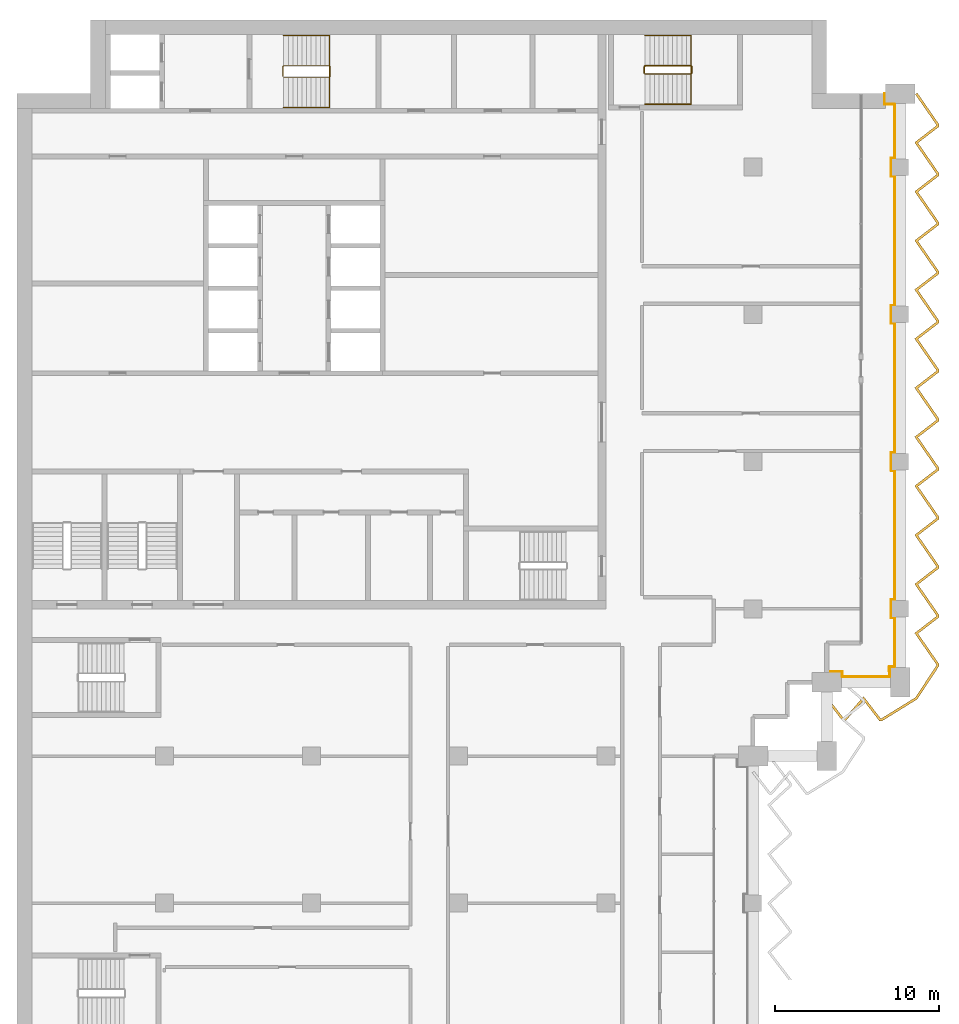
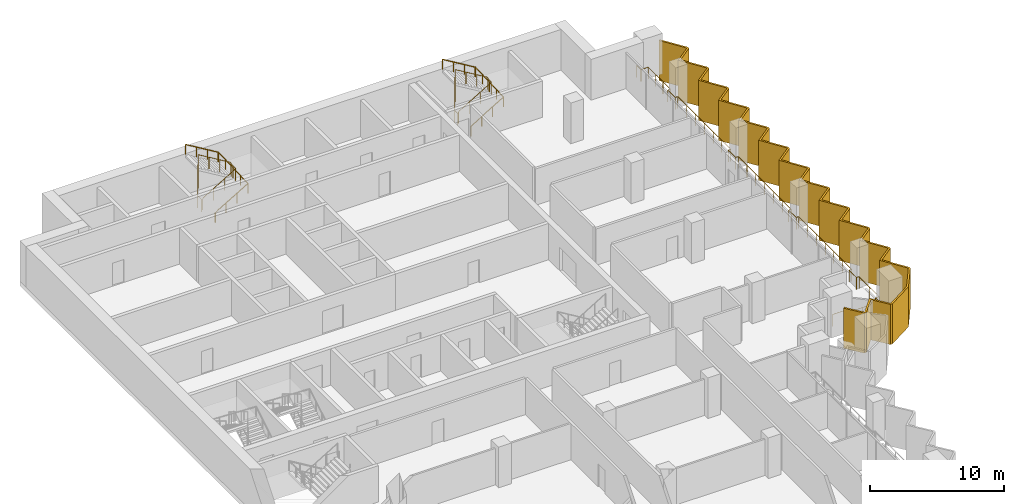
# One storey, part 17 of 17: 5 railings, 1 shading device.
"""IFC4 building model written with IfcOpenShell, lengths in metres."""

from ifc_helpers import new_model, si_unit, direction, frame, origin, origin_2d, place, context, subcontext, project, spatial, polyline, circle, outline, extrude, material, layer, layer_set, type_object, element, save


model = new_model("IFC4")

# Units and contexts
model_context = context("Model", 3, precision=1e-05, world=origin(), true_north=direction((0.0, 1.0)))
body_context = subcontext(model_context, "Body", "Model", "MODEL_VIEW")
ifc_project = project(units=[si_unit("LENGTHUNIT", "METRE"), si_unit("AREAUNIT", "SQUARE_METRE"), si_unit("VOLUMEUNIT", "CUBIC_METRE"), si_unit("PLANEANGLEUNIT", "RADIAN"), si_unit("MASSUNIT", "GRAM", prefix="KILO")], contexts=[model_context])

# Site, building, storey
site_placement = place(None, origin())
site = spatial("IfcSite", under=ifc_project, at=site_placement, CompositionType="ELEMENT")
building_placement = place(site_placement, origin())
building = spatial("IfcBuilding", under=site, at=building_placement, Name="Hunhe Ridgeline Campus", CompositionType="ELEMENT")
storey_placement = place(building_placement, frame((0.0, 0.0, 193.89990234375)))
storey = spatial("IfcBuildingStorey", under=building, at=storey_placement, Name="L49", CompositionType="ELEMENT", Elevation=193.89990234375)

# Railing
ifc_material_1 = material(Name="Steel Q355", Category="steel")
railing_type_1 = type_object("IfcRailingType", Name="Loggia guard 1100 Steel Q355", PredefinedType="GUARDRAIL", material=ifc_material_1)
railing_1_placement = place(storey_placement, frame((49.5, 59.169921875, 0.0)))
element("IfcRailing", 1, at=railing_1_placement, inside=storey, type_object=railing_type_1, Name="Loggia guard 2", PredefinedType="GUARDRAIL", context=body_context, shape_type="SweptSolid", body=[
    extrude(circle(Radius=0.02392578125, at=origin_2d()), frame((0.0, 0.0, 1.076171875), z_axis=(1.0, 0.0, 0.0), x_axis=(0.0, 1.0, 0.0)), (0.0, 0.0, 1.0), 0.949951171875),
    extrude(circle(Radius=0.02392578125, at=origin_2d()), frame((0.949951171875, 0.0, 1.076171875), z_axis=(0.0, -1.0, 0.0), x_axis=(1.0, 0.0, 0.0)), (0.0, 0.0, 1.0), 0.31982421875),
    extrude(circle(Radius=0.02392578125, at=origin_2d()), frame((0.949951171875, -0.31982421875, 1.076171875), z_axis=(1.0, 0.0, 0.0), x_axis=(0.0, 1.0, 0.0)), (0.0, 0.0, 1.0), 2.900146484375),
    extrude(circle(Radius=0.02392578125, at=origin_2d()), frame((3.85009765625, -0.31982421875, 1.076171875), z_axis=(0.0, 1.0, 0.0), x_axis=(-1.0, 0.0, 0.0)), (0.0, 0.0, 1.0), 0.619873046875),
    extrude(circle(Radius=0.02392578125, at=origin_2d()), frame((3.85009765625, 0.300048828125, 1.076171875), z_axis=(-0.066572895244, -0.99778156408, 0.0), x_axis=(0.99778156408, -0.066572895244, 0.0)), (0.0, 0.0, 1.0), 0.30078125),
    extrude(circle(Radius=0.02392578125, at=origin_2d()), frame((3.830078125, 0.0, 1.076171875), z_axis=(0.0, 1.0, 0.0), x_axis=(-1.0, 0.0, 0.0)), (0.0, 0.0, 1.0), 0.280029296875),
    extrude(circle(Radius=0.02392578125, at=origin_2d()), frame((3.830078125, 0.280029296875, 1.076171875), z_axis=(1.0, 0.0, 0.0), x_axis=(0.0, 1.0, 0.0)), (0.0, 0.0, 1.0), 0.31982421875),
    extrude(circle(Radius=0.02392578125, at=origin_2d()), frame((4.14990234375, 0.280029296875, 1.076171875), z_axis=(0.0, 1.0, 0.0), x_axis=(-1.0, 0.0, 0.0)), (0.0, 0.0, 1.0), 3.0),
    extrude(circle(Radius=0.02392578125, at=origin_2d()), frame((4.14990234375, 3.280029296875, 1.076171875), z_axis=(-1.0, 0.0, 0.0), x_axis=(0.0, -1.0, 0.0)), (0.0, 0.0, 1.0), 0.219970703125),
    extrude(circle(Radius=0.02392578125, at=origin_2d()), frame((3.929931640625, 3.280029296875, 1.076171875), z_axis=(0.0, 1.0, 0.0), x_axis=(-1.0, 0.0, 0.0)), (0.0, 0.0, 1.0), 1.10009765625),
    extrude(circle(Radius=0.02392578125, at=origin_2d()), frame((3.929931640625, 4.380126953125, 1.076171875), z_axis=(1.0, 0.0, 0.0), x_axis=(0.0, 1.0, 0.0)), (0.0, 0.0, 1.0), 0.219970703125),
    extrude(circle(Radius=0.02392578125, at=origin_2d()), frame((4.14990234375, 4.380126953125, 1.076171875), z_axis=(0.0, 1.0, 0.0), x_axis=(-1.0, 0.0, 0.0)), (0.0, 0.0, 1.0), 7.89990234375),
    extrude(circle(Radius=0.02392578125, at=origin_2d()), frame((4.14990234375, 12.280029296875, 1.076171875), z_axis=(-1.0, 0.0, 0.0), x_axis=(0.0, -1.0, 0.0)), (0.0, 0.0, 1.0), 0.219970703125),
    extrude(circle(Radius=0.02392578125, at=origin_2d()), frame((3.929931640625, 12.280029296875, 1.076171875), z_axis=(0.0, 1.0, 0.0), x_axis=(-1.0, 0.0, 0.0)), (0.0, 0.0, 1.0), 1.10009765625),
    extrude(circle(Radius=0.02392578125, at=origin_2d()), frame((3.929931640625, 13.380126953125, 1.076171875), z_axis=(1.0, 0.0, 0.0), x_axis=(0.0, 1.0, 0.0)), (0.0, 0.0, 1.0), 0.219970703125),
    extrude(circle(Radius=0.02392578125, at=origin_2d()), frame((4.14990234375, 13.380126953125, 1.076171875), z_axis=(0.0, 1.0, 0.0), x_axis=(-1.0, 0.0, 0.0)), (0.0, 0.0, 1.0), 7.89990234375),
    extrude(circle(Radius=0.02392578125, at=origin_2d()), frame((4.14990234375, 21.280029296875, 1.076171875), z_axis=(-1.0, 0.0, 0.0), x_axis=(0.0, -1.0, 0.0)), (0.0, 0.0, 1.0), 0.219970703125),
    extrude(circle(Radius=0.02392578125, at=origin_2d()), frame((3.929931640625, 21.280029296875, 1.076171875), z_axis=(0.0, 1.0, 0.0), x_axis=(-1.0, 0.0, 0.0)), (0.0, 0.0, 1.0), 1.10009765625),
    extrude(circle(Radius=0.02392578125, at=origin_2d()), frame((3.929931640625, 22.380126953125, 1.076171875), z_axis=(1.0, 0.0, 0.0), x_axis=(0.0, 1.0, 0.0)), (0.0, 0.0, 1.0), 0.219970703125),
    extrude(circle(Radius=0.02392578125, at=origin_2d()), frame((4.14990234375, 22.380126953125, 1.076171875), z_axis=(0.0, 1.0, 0.0), x_axis=(-1.0, 0.0, 0.0)), (0.0, 0.0, 1.0), 7.89990234375),
    extrude(circle(Radius=0.02392578125, at=origin_2d()), frame((4.14990234375, 30.280029296875, 1.076171875), z_axis=(-1.0, 0.0, 0.0), x_axis=(0.0, -1.0, 0.0)), (0.0, 0.0, 1.0), 0.219970703125),
    extrude(circle(Radius=0.02392578125, at=origin_2d()), frame((3.929931640625, 30.280029296875, 1.076171875), z_axis=(0.0, 1.0, 0.0), x_axis=(-1.0, 0.0, 0.0)), (0.0, 0.0, 1.0), 1.10009765625),
    extrude(circle(Radius=0.02392578125, at=origin_2d()), frame((3.929931640625, 31.380126953125, 1.076171875), z_axis=(1.0, 0.0, 0.0), x_axis=(0.0, 1.0, 0.0)), (0.0, 0.0, 1.0), 0.219970703125),
    extrude(circle(Radius=0.02392578125, at=origin_2d()), frame((4.14990234375, 31.380126953125, 1.076171875), z_axis=(0.0, 1.0, 0.0), x_axis=(-1.0, 0.0, 0.0)), (0.0, 0.0, 1.0), 3.300048828125),
    extrude(circle(Radius=0.02392578125, at=origin_2d()), frame((4.14990234375, 34.68017578125, 1.076171875), z_axis=(-1.0, 0.0, 0.0), x_axis=(0.0, -1.0, 0.0)), (0.0, 0.0, 1.0), 0.619873046875),
    extrude(circle(Radius=0.02392578125, at=origin_2d()), frame((3.530029296875, 34.68017578125, 1.076171875), z_axis=(0.0, 1.0, 0.0), x_axis=(-1.0, 0.0, 0.0)), (0.0, 0.0, 1.0), 0.64990234375),
    extrude(circle(Radius=0.02099609375, at=origin_2d()), origin(), (0.0, 0.0, 1.0), 1.052001953125),
    extrude(circle(Radius=0.02099609375, at=origin_2d()), frame((0.949951171875, 0.0, 0.0)), (0.0, 0.0, 1.0), 1.052001953125),
    extrude(circle(Radius=0.02099609375, at=origin_2d()), frame((0.949951171875, -0.31982421875, 0.0)), (0.0, 0.0, 1.0), 1.052001953125),
    extrude(circle(Radius=0.02099609375, at=origin_2d()), frame((2.39990234375, -0.31982421875, 0.0)), (0.0, 0.0, 1.0), 1.052001953125),
    extrude(circle(Radius=0.02099609375, at=origin_2d()), frame((3.85009765625, -0.31982421875, 0.0)), (0.0, 0.0, 1.0), 1.052001953125),
    extrude(circle(Radius=0.02099609375, at=origin_2d()), frame((3.85009765625, 0.300048828125, 0.0)), (0.0, 0.0, 1.0), 1.052001953125),
    extrude(circle(Radius=0.02099609375, at=origin_2d()), frame((3.830078125, 0.0, 0.0)), (0.0, 0.0, 1.0), 1.052001953125),
    extrude(circle(Radius=0.02099609375, at=origin_2d()), frame((3.830078125, 0.280029296875, 0.0)), (0.0, 0.0, 1.0), 1.052001953125),
    extrude(circle(Radius=0.02099609375, at=origin_2d()), frame((4.14990234375, 0.280029296875, 0.0)), (0.0, 0.0, 1.0), 1.052001953125),
    extrude(circle(Radius=0.02099609375, at=origin_2d()), frame((4.14990234375, 1.780029296875, 0.0)), (0.0, 0.0, 1.0), 1.052001953125),
    extrude(circle(Radius=0.02099609375, at=origin_2d()), frame((4.14990234375, 3.280029296875, 0.0)), (0.0, 0.0, 1.0), 1.052001953125),
    extrude(circle(Radius=0.02099609375, at=origin_2d()), frame((3.929931640625, 3.280029296875, 0.0)), (0.0, 0.0, 1.0), 1.052001953125),
    extrude(circle(Radius=0.02099609375, at=origin_2d()), frame((3.929931640625, 4.380126953125, 0.0)), (0.0, 0.0, 1.0), 1.052001953125),
    extrude(circle(Radius=0.02099609375, at=origin_2d()), frame((4.14990234375, 4.380126953125, 0.0)), (0.0, 0.0, 1.0), 1.052001953125),
    extrude(circle(Radius=0.02099609375, at=origin_2d()), frame((4.14990234375, 5.69677734375, 0.0)), (0.0, 0.0, 1.0), 1.052001953125),
    extrude(circle(Radius=0.02099609375, at=origin_2d()), frame((4.14990234375, 7.013427734375, 0.0)), (0.0, 0.0, 1.0), 1.052001953125),
    extrude(circle(Radius=0.02099609375, at=origin_2d()), frame((4.14990234375, 8.330078125, 0.0)), (0.0, 0.0, 1.0), 1.052001953125),
    extrude(circle(Radius=0.02099609375, at=origin_2d()), frame((4.14990234375, 9.646728515625, 0.0)), (0.0, 0.0, 1.0), 1.052001953125),
    extrude(circle(Radius=0.02099609375, at=origin_2d()), frame((4.14990234375, 10.96337890625, 0.0)), (0.0, 0.0, 1.0), 1.052001953125),
    extrude(circle(Radius=0.02099609375, at=origin_2d()), frame((4.14990234375, 12.280029296875, 0.0)), (0.0, 0.0, 1.0), 1.052001953125),
    extrude(circle(Radius=0.02099609375, at=origin_2d()), frame((3.929931640625, 12.280029296875, 0.0)), (0.0, 0.0, 1.0), 1.052001953125),
    extrude(circle(Radius=0.02099609375, at=origin_2d()), frame((3.929931640625, 13.380126953125, 0.0)), (0.0, 0.0, 1.0), 1.052001953125),
    extrude(circle(Radius=0.02099609375, at=origin_2d()), frame((4.14990234375, 13.380126953125, 0.0)), (0.0, 0.0, 1.0), 1.052001953125),
    extrude(circle(Radius=0.02099609375, at=origin_2d()), frame((4.14990234375, 14.69677734375, 0.0)), (0.0, 0.0, 1.0), 1.052001953125),
    extrude(circle(Radius=0.02099609375, at=origin_2d()), frame((4.14990234375, 16.013427734375, 0.0)), (0.0, 0.0, 1.0), 1.052001953125),
    extrude(circle(Radius=0.02099609375, at=origin_2d()), frame((4.14990234375, 17.330078125, 0.0)), (0.0, 0.0, 1.0), 1.052001953125),
    extrude(circle(Radius=0.02099609375, at=origin_2d()), frame((4.14990234375, 18.646728515625, 0.0)), (0.0, 0.0, 1.0), 1.052001953125),
    extrude(circle(Radius=0.02099609375, at=origin_2d()), frame((4.14990234375, 19.96337890625, 0.0)), (0.0, 0.0, 1.0), 1.052001953125),
    extrude(circle(Radius=0.02099609375, at=origin_2d()), frame((4.14990234375, 21.280029296875, 0.0)), (0.0, 0.0, 1.0), 1.052001953125),
    extrude(circle(Radius=0.02099609375, at=origin_2d()), frame((3.929931640625, 21.280029296875, 0.0)), (0.0, 0.0, 1.0), 1.052001953125),
    extrude(circle(Radius=0.02099609375, at=origin_2d()), frame((3.929931640625, 22.380126953125, 0.0)), (0.0, 0.0, 1.0), 1.052001953125),
    extrude(circle(Radius=0.02099609375, at=origin_2d()), frame((4.14990234375, 22.380126953125, 0.0)), (0.0, 0.0, 1.0), 1.052001953125),
    extrude(circle(Radius=0.02099609375, at=origin_2d()), frame((4.14990234375, 23.69677734375, 0.0)), (0.0, 0.0, 1.0), 1.052001953125),
    extrude(circle(Radius=0.02099609375, at=origin_2d()), frame((4.14990234375, 25.013427734375, 0.0)), (0.0, 0.0, 1.0), 1.052001953125),
    extrude(circle(Radius=0.02099609375, at=origin_2d()), frame((4.14990234375, 26.330078125, 0.0)), (0.0, 0.0, 1.0), 1.052001953125),
    extrude(circle(Radius=0.02099609375, at=origin_2d()), frame((4.14990234375, 27.646728515625, 0.0)), (0.0, 0.0, 1.0), 1.052001953125),
    extrude(circle(Radius=0.02099609375, at=origin_2d()), frame((4.14990234375, 28.96337890625, 0.0)), (0.0, 0.0, 1.0), 1.052001953125),
    extrude(circle(Radius=0.02099609375, at=origin_2d()), frame((4.14990234375, 30.280029296875, 0.0)), (0.0, 0.0, 1.0), 1.052001953125),
    extrude(circle(Radius=0.02099609375, at=origin_2d()), frame((3.929931640625, 30.280029296875, 0.0)), (0.0, 0.0, 1.0), 1.052001953125),
    extrude(circle(Radius=0.02099609375, at=origin_2d()), frame((3.929931640625, 31.380126953125, 0.0)), (0.0, 0.0, 1.0), 1.052001953125),
    extrude(circle(Radius=0.02099609375, at=origin_2d()), frame((4.14990234375, 31.380126953125, 0.0)), (0.0, 0.0, 1.0), 1.052001953125),
    extrude(circle(Radius=0.02099609375, at=origin_2d()), frame((4.14990234375, 32.480224609375, 0.0)), (0.0, 0.0, 1.0), 1.052001953125),
    extrude(circle(Radius=0.02099609375, at=origin_2d()), frame((4.14990234375, 33.580078125, 0.0)), (0.0, 0.0, 1.0), 1.052001953125),
    extrude(circle(Radius=0.02099609375, at=origin_2d()), frame((4.14990234375, 34.68017578125, 0.0)), (0.0, 0.0, 1.0), 1.052001953125),
    extrude(circle(Radius=0.02099609375, at=origin_2d()), frame((3.530029296875, 34.68017578125, 0.0)), (0.0, 0.0, 1.0), 1.052001953125),
    extrude(circle(Radius=0.02099609375, at=origin_2d()), frame((3.530029296875, 35.330078125, 0.0)), (0.0, 0.0, 1.0), 1.052001953125),
])

# Shading device
ifc_material_2 = material(Name="Concrete C50", Category="concrete")
ifc_layer = layer(ifc_material_2, 0.14990234375)
ifc_layer_set = layer_set([ifc_layer], Name="Sawtooth concrete fin 150 Concrete C50")
shading_device_type = type_object("IfcShadingDeviceType", Name="Sawtooth concrete fin 150 Concrete C50", PredefinedType="USERDEFINED", material=ifc_layer_set)
shading_device_placement = place(storey_placement, frame((0.0, 0.0, -0.949951171875)))
element("IfcShadingDevice", 2, at=shading_device_placement, inside=storey, type_object=shading_device_type, Name="Concrete fin screen 3", ObjectType="FIN", PredefinedType="USERDEFINED", context=body_context, shape_type="SweptSolid", body=[
    extrude(outline(polyline([(49.559326171875, 57.57080078125), (49.440673828125, 57.479248046875), (50.465087890625, 56.14990234375), (50.65625, 56.14990234375), (51.74658203125, 57.406494140625), (52.715087890625, 56.14990234375), (52.893310546875, 56.14990234375), (55.028564453125, 57.469970703125), (56.35009765625, 59.4794921875), (56.35009765625, 59.6455078125), (55.0771484375, 61.484130859375), (56.35009765625, 62.465087890625), (56.35009765625, 62.6455078125), (55.0771484375, 64.484130859375), (56.35009765625, 65.465087890625), (56.35009765625, 65.6455078125), (55.0771484375, 67.484130859375), (56.35009765625, 68.465087890625), (56.35009765625, 68.6455078125), (55.0771484375, 70.484130859375), (56.35009765625, 71.465087890625), (56.35009765625, 71.6455078125), (55.0771484375, 73.484130859375), (56.35009765625, 74.465087890625), (56.35009765625, 74.6455078125), (55.0771484375, 76.484130859375), (56.35009765625, 77.465087890625), (56.35009765625, 77.6455078125), (55.0771484375, 79.484130859375), (56.35009765625, 80.465087890625), (56.35009765625, 80.6455078125), (55.0771484375, 82.484130859375), (56.35009765625, 83.465087890625), (56.35009765625, 83.6455078125), (55.0771484375, 85.484130859375), (56.35009765625, 86.465087890625), (56.35009765625, 86.6455078125), (55.0771484375, 88.484130859375), (56.35009765625, 89.465087890625), (56.35009765625, 89.6455078125), (55.0771484375, 91.484130859375), (56.35009765625, 92.465087890625), (56.35009765625, 92.6455078125), (55.03662109375, 94.542724609375), (54.913330078125, 94.457275390625), (56.199951171875, 92.5986328125), (56.199951171875, 92.538818359375), (54.872802734375, 91.515869140625), (56.199951171875, 89.5986328125), (56.199951171875, 89.538818359375), (54.872802734375, 88.515869140625), (56.199951171875, 86.5986328125), (56.199951171875, 86.538818359375), (54.872802734375, 85.515869140625), (56.199951171875, 83.5986328125), (56.199951171875, 83.538818359375), (54.872802734375, 82.515869140625), (56.199951171875, 80.5986328125), (56.199951171875, 80.538818359375), (54.872802734375, 79.515869140625), (56.199951171875, 77.5986328125), (56.199951171875, 77.538818359375), (54.872802734375, 76.515869140625), (56.199951171875, 74.5986328125), (56.199951171875, 74.538818359375), (54.872802734375, 73.515869140625), (56.199951171875, 71.5986328125), (56.199951171875, 71.538818359375), (54.872802734375, 70.515869140625), (56.199951171875, 68.5986328125), (56.199951171875, 68.538818359375), (54.872802734375, 67.515869140625), (56.199951171875, 65.5986328125), (56.199951171875, 65.538818359375), (54.872802734375, 64.515869140625), (56.199951171875, 62.5986328125), (56.199951171875, 62.538818359375), (54.872802734375, 61.515869140625), (56.199951171875, 59.5986328125), (56.199951171875, 59.5244140625), (54.92138671875, 57.580078125), (52.850830078125, 56.300048828125), (52.788818359375, 56.300048828125), (51.75341796875, 57.643310546875), (50.587890625, 56.300048828125), (50.538818359375, 56.300048828125), (49.559326171875, 57.57080078125)])), origin(), (0.0, 0.0, 1.0), 3.650146484375),
])

# Railings
ifc_material_3 = material(Name="Stainless steel balustrade", Category="steel")
railing_type_2 = type_object("IfcRailingType", Name="Stair guard 1100 stainless", PredefinedType="GUARDRAIL", material=ifc_material_3)
railing_2_placement = place(storey_placement, frame((16.300048828125, 95.5, 0.168212890625)))
element("IfcRailing", 3, at=railing_2_placement, inside=storey, type_object=railing_type_2, Name="L49 stair S1 guard", PredefinedType="GUARDRAIL", context=body_context, shape_type="SweptSolid", body=[
    extrude(circle(Radius=0.02392578125, at=origin_2d()), frame((0.0, 0.0, 1.076171875), z_axis=(0.857242210791, 0.0, 0.514913383045), x_axis=(0.0, 1.0, 0.0)), (0.0, 0.0, 1.0), 3.266357421875),
    extrude(circle(Radius=0.02392578125, at=origin_2d()), frame((2.800048828125, 0.0, 2.7578125), z_axis=(0.705375805398, 0.708833529934, 0.0), x_axis=(-0.708833529934, 0.705375805398, 0.0)), (0.0, 0.0, 1.0), 0.070556640625),
    extrude(circle(Radius=0.02392578125, at=origin_2d()), frame((2.849853515625, 0.050048828125, 2.7578125), z_axis=(0.0, 1.0, 0.0), x_axis=(-1.0, 0.0, 0.0)), (0.0, 0.0, 1.0), 0.599853515625),
    extrude(circle(Radius=0.02392578125, at=origin_2d()), frame((2.849853515625, 0.64990234375, 2.7578125), z_axis=(-0.273006030465, 0.27434429532, 0.922064485248), x_axis=(-0.708833529934, -0.705375805398, 0.0)), (0.0, 0.0, 1.0), 0.182373046875),
    extrude(circle(Radius=0.02392578125, at=origin_2d()), frame((2.800048828125, 0.699951171875, 2.92626953125), z_axis=(-0.857242210791, 0.0, 0.514913383045), x_axis=(0.0, -1.0, 0.0)), (0.0, 0.0, 1.0), 3.266357421875),
    extrude(circle(Radius=0.02392578125, at=origin_2d()), frame((0.0, 0.699951171875, 4.60791015625), z_axis=(-0.013523522368, -0.013523522368, -0.999817097616), x_axis=(0.707106781187, -0.707106781187, 0.0)), (0.0, 0.0, 1.0), 3.700927734375),
    extrude(circle(Radius=0.02392578125, at=origin_2d()), frame((-0.050048828125, 0.64990234375, 0.90771484375), z_axis=(0.0, -1.0, 0.0), x_axis=(1.0, 0.0, 0.0)), (0.0, 0.0, 1.0), 0.599853515625),
    extrude(circle(Radius=0.02099609375, at=origin_2d()), origin(), (0.0, 0.0, 1.0), 1.052001953125),
    extrude(circle(Radius=0.02099609375, at=origin_2d()), frame((0.933349609375, 0.0, 0.560546875)), (0.0, 0.0, 1.0), 1.052001953125),
    extrude(circle(Radius=0.02099609375, at=origin_2d()), frame((1.86669921875, 0.0, 1.121337890625)), (0.0, 0.0, 1.0), 1.052001953125),
    extrude(circle(Radius=0.02099609375, at=origin_2d()), frame((2.800048828125, 0.0, 1.681884765625)), (0.0, 0.0, 1.0), 1.052001953125),
    extrude(circle(Radius=0.02099609375, at=origin_2d()), frame((2.849853515625, 0.050048828125, 1.681884765625)), (0.0, 0.0, 1.0), 1.052001953125),
    extrude(circle(Radius=0.02099609375, at=origin_2d()), frame((2.849853515625, 0.64990234375, 1.681884765625)), (0.0, 0.0, 1.0), 1.052001953125),
    extrude(circle(Radius=0.02099609375, at=origin_2d()), frame((2.800048828125, 0.699951171875, 1.85009765625)), (0.0, 0.0, 1.0), 1.052001953125),
    extrude(circle(Radius=0.02099609375, at=origin_2d()), frame((1.86669921875, 0.699951171875, 2.41064453125)), (0.0, 0.0, 1.0), 1.052001953125),
    extrude(circle(Radius=0.02099609375, at=origin_2d()), frame((0.933349609375, 0.699951171875, 2.971435546875)), (0.0, 0.0, 1.0), 1.052001953125),
    extrude(circle(Radius=0.02099609375, at=origin_2d()), frame((0.0, 0.699951171875, 3.531982421875)), (0.0, 0.0, 1.0), 1.052001953125),
    extrude(circle(Radius=0.02099609375, at=origin_2d()), frame((-0.012451171875, 0.6875, 2.60693359375)), (0.0, 0.0, 1.0), 1.052001953125),
    extrude(circle(Radius=0.02099609375, at=origin_2d()), frame((-0.02490234375, 0.6748046875, 1.681884765625)), (0.0, 0.0, 1.0), 1.052001953125),
    extrude(circle(Radius=0.02099609375, at=origin_2d()), frame((-0.03759765625, 0.662353515625, 0.7568359375)), (0.0, 0.0, 1.0), 1.052001953125),
    extrude(circle(Radius=0.02099609375, at=origin_2d()), frame((-0.050048828125, 0.64990234375, -0.168212890625)), (0.0, 0.0, 1.0), 1.052001953125),
    extrude(circle(Radius=0.02099609375, at=origin_2d()), frame((-0.050048828125, 0.050048828125, -0.168212890625)), (0.0, 0.0, 1.0), 1.052001953125),
])
railing_3_placement = place(storey_placement, frame((38.39990234375, 95.699951171875, 0.168212890625)))
element("IfcRailing", 4, at=railing_3_placement, inside=storey, type_object=railing_type_2, Name="L49 stair E1 guard", PredefinedType="GUARDRAIL", context=body_context, shape_type="SweptSolid", body=[
    extrude(circle(Radius=0.02392578125, at=origin_2d()), frame((0.0, 0.0, 1.076171875), z_axis=(0.857242210791, 0.0, 0.514913383045), x_axis=(0.0, 1.0, 0.0)), (0.0, 0.0, 1.0), 3.266357421875),
    extrude(circle(Radius=0.02392578125, at=origin_2d()), frame((2.800048828125, 0.0, 2.7578125), z_axis=(0.707106781187, 0.707106781187, 0.0), x_axis=(-0.707106781187, 0.707106781187, 0.0)), (0.0, 0.0, 1.0), 0.07080078125),
    extrude(circle(Radius=0.02392578125, at=origin_2d()), frame((2.85009765625, 0.050048828125, 2.7578125), z_axis=(0.0, 1.0, 0.0), x_axis=(-1.0, 0.0, 0.0)), (0.0, 0.0, 1.0), 0.39990234375),
    extrude(circle(Radius=0.02392578125, at=origin_2d()), frame((2.85009765625, 0.449951171875, 2.7578125), z_axis=(-0.274243871929, 0.274243871929, 0.92172696468), x_axis=(-0.707106781187, -0.707106781187, 0.0)), (0.0, 0.0, 1.0), 0.1826171875),
    extrude(circle(Radius=0.02392578125, at=origin_2d()), frame((2.800048828125, 0.5, 2.92626953125), z_axis=(-0.857242210791, 0.0, 0.514913383045), x_axis=(0.0, -1.0, 0.0)), (0.0, 0.0, 1.0), 3.266357421875),
    extrude(circle(Radius=0.02392578125, at=origin_2d()), frame((0.0, 0.5, 4.60791015625), z_axis=(-0.013457565943, -0.013523534403, -0.999817987404), x_axis=(0.708833529934, -0.705375805398, 0.0)), (0.0, 0.0, 1.0), 3.700927734375),
    extrude(circle(Radius=0.02392578125, at=origin_2d()), frame((-0.0498046875, 0.449951171875, 0.90771484375), z_axis=(0.0, -1.0, 0.0), x_axis=(1.0, 0.0, 0.0)), (0.0, 0.0, 1.0), 0.39990234375),
    extrude(circle(Radius=0.02099609375, at=origin_2d()), origin(), (0.0, 0.0, 1.0), 1.052001953125),
    extrude(circle(Radius=0.02099609375, at=origin_2d()), frame((0.933349609375, 0.0, 0.560546875)), (0.0, 0.0, 1.0), 1.052001953125),
    extrude(circle(Radius=0.02099609375, at=origin_2d()), frame((1.86669921875, 0.0, 1.121337890625)), (0.0, 0.0, 1.0), 1.052001953125),
    extrude(circle(Radius=0.02099609375, at=origin_2d()), frame((2.800048828125, 0.0, 1.681884765625)), (0.0, 0.0, 1.0), 1.052001953125),
    extrude(circle(Radius=0.02099609375, at=origin_2d()), frame((2.85009765625, 0.050048828125, 1.681884765625)), (0.0, 0.0, 1.0), 1.052001953125),
    extrude(circle(Radius=0.02099609375, at=origin_2d()), frame((2.85009765625, 0.449951171875, 1.681884765625)), (0.0, 0.0, 1.0), 1.052001953125),
    extrude(circle(Radius=0.02099609375, at=origin_2d()), frame((2.800048828125, 0.5, 1.85009765625)), (0.0, 0.0, 1.0), 1.052001953125),
    extrude(circle(Radius=0.02099609375, at=origin_2d()), frame((1.86669921875, 0.5, 2.41064453125)), (0.0, 0.0, 1.0), 1.052001953125),
    extrude(circle(Radius=0.02099609375, at=origin_2d()), frame((0.933349609375, 0.5, 2.971435546875)), (0.0, 0.0, 1.0), 1.052001953125),
    extrude(circle(Radius=0.02099609375, at=origin_2d()), frame((0.0, 0.5, 3.531982421875)), (0.0, 0.0, 1.0), 1.052001953125),
    extrude(circle(Radius=0.02099609375, at=origin_2d()), frame((-0.012451171875, 0.487548828125, 2.60693359375)), (0.0, 0.0, 1.0), 1.052001953125),
    extrude(circle(Radius=0.02099609375, at=origin_2d()), frame((-0.02490234375, 0.47509765625, 1.681884765625)), (0.0, 0.0, 1.0), 1.052001953125),
    extrude(circle(Radius=0.02099609375, at=origin_2d()), frame((-0.037353515625, 0.46240234375, 0.7568359375)), (0.0, 0.0, 1.0), 1.052001953125),
    extrude(circle(Radius=0.02099609375, at=origin_2d()), frame((-0.0498046875, 0.449951171875, -0.168212890625)), (0.0, 0.0, 1.0), 1.052001953125),
    extrude(circle(Radius=0.02099609375, at=origin_2d()), frame((-0.0498046875, 0.050048828125, -0.168212890625)), (0.0, 0.0, 1.0), 1.052001953125),
])
ifc_material_4 = material(Name="Stainless steel handrail", Category="steel")
railing_type_3 = type_object("IfcRailingType", Name="Stair handrail 900 stainless", PredefinedType="HANDRAIL", material=ifc_material_4)
railing_4_placement = place(storey_placement, frame((16.300048828125, 93.64990234375, 0.168212890625)))
element("IfcRailing", 5, at=railing_4_placement, inside=storey, type_object=railing_type_3, Name="L49 stair S1 handrail", PredefinedType="HANDRAIL", context=body_context, shape_type="SweptSolid", body=[
    extrude(circle(Radius=0.02392578125, at=origin_2d()), frame((0.0, 0.0, 0.8759765625), z_axis=(0.857242210791, 0.0, 0.514913383045), x_axis=(0.0, 1.0, 0.0)), (0.0, 0.0, 1.0), 3.266357421875),
    extrude(circle(Radius=0.02392578125, at=origin_2d()), frame((2.800048828125, 0.0, 2.5576171875), z_axis=(0.0, 0.999270074432, 0.038201025428), x_axis=(-1.0, 0.0, 0.0)), (0.0, 0.0, 1.0), 4.4033203125),
    extrude(circle(Radius=0.02392578125, at=origin_2d()), frame((2.800048828125, 4.400146484375, 2.72607421875), z_axis=(-0.857242210791, 0.0, 0.514913383045), x_axis=(0.0, -1.0, 0.0)), (0.0, 0.0, 1.0), 3.266357421875),
    extrude(circle(Radius=0.02099609375, at=origin_2d()), origin(), (0.0, 0.0, 1.0), 0.851806640625),
    extrude(circle(Radius=0.02099609375, at=origin_2d()), frame((0.933349609375, 0.0, 0.560546875)), (0.0, 0.0, 1.0), 0.851806640625),
    extrude(circle(Radius=0.02099609375, at=origin_2d()), frame((1.86669921875, 0.0, 1.121337890625)), (0.0, 0.0, 1.0), 0.851806640625),
    extrude(circle(Radius=0.02099609375, at=origin_2d()), frame((2.800048828125, 0.0, 1.681884765625)), (0.0, 0.0, 1.0), 0.851806640625),
    extrude(circle(Radius=0.02099609375, at=origin_2d()), frame((2.800048828125, 1.10009765625, 1.723876953125)), (0.0, 0.0, 1.0), 0.851806640625),
    extrude(circle(Radius=0.02099609375, at=origin_2d()), frame((2.800048828125, 2.2001953125, 1.76611328125)), (0.0, 0.0, 1.0), 0.851806640625),
    extrude(circle(Radius=0.02099609375, at=origin_2d()), frame((2.800048828125, 3.300048828125, 1.80810546875)), (0.0, 0.0, 1.0), 0.851806640625),
    extrude(circle(Radius=0.02099609375, at=origin_2d()), frame((2.800048828125, 4.400146484375, 1.85009765625)), (0.0, 0.0, 1.0), 0.851806640625),
    extrude(circle(Radius=0.02099609375, at=origin_2d()), frame((1.86669921875, 4.400146484375, 2.41064453125)), (0.0, 0.0, 1.0), 0.851806640625),
    extrude(circle(Radius=0.02099609375, at=origin_2d()), frame((0.933349609375, 4.400146484375, 2.971435546875)), (0.0, 0.0, 1.0), 0.851806640625),
    extrude(circle(Radius=0.02099609375, at=origin_2d()), frame((0.0, 4.400146484375, 3.531982421875)), (0.0, 0.0, 1.0), 0.851806640625),
])
railing_5_placement = place(storey_placement, frame((38.39990234375, 93.85009765625, 0.168212890625)))
element("IfcRailing", 6, at=railing_5_placement, inside=storey, type_object=railing_type_3, Name="L49 stair E1 handrail", PredefinedType="HANDRAIL", context=body_context, shape_type="SweptSolid", body=[
    extrude(circle(Radius=0.02392578125, at=origin_2d()), frame((0.0, 0.0, 0.8759765625), z_axis=(0.857242210791, 0.0, 0.514913383045), x_axis=(0.0, 1.0, 0.0)), (0.0, 0.0, 1.0), 3.266357421875),
    extrude(circle(Radius=0.02392578125, at=origin_2d()), frame((2.800048828125, 0.0, 2.5576171875), z_axis=(0.0, 0.999198916169, 0.040019069537), x_axis=(-1.0, 0.0, 0.0)), (0.0, 0.0, 1.0), 4.203369140625),
    extrude(circle(Radius=0.02392578125, at=origin_2d()), frame((2.800048828125, 4.199951171875, 2.72607421875), z_axis=(-0.857242210791, 0.0, 0.514913383045), x_axis=(0.0, -1.0, 0.0)), (0.0, 0.0, 1.0), 3.266357421875),
    extrude(circle(Radius=0.02099609375, at=origin_2d()), origin(), (0.0, 0.0, 1.0), 0.851806640625),
    extrude(circle(Radius=0.02099609375, at=origin_2d()), frame((0.933349609375, 0.0, 0.560546875)), (0.0, 0.0, 1.0), 0.851806640625),
    extrude(circle(Radius=0.02099609375, at=origin_2d()), frame((1.86669921875, 0.0, 1.121337890625)), (0.0, 0.0, 1.0), 0.851806640625),
    extrude(circle(Radius=0.02099609375, at=origin_2d()), frame((2.800048828125, 0.0, 1.681884765625)), (0.0, 0.0, 1.0), 0.851806640625),
    extrude(circle(Radius=0.02099609375, at=origin_2d()), frame((2.800048828125, 1.050048828125, 1.723876953125)), (0.0, 0.0, 1.0), 0.851806640625),
    extrude(circle(Radius=0.02099609375, at=origin_2d()), frame((2.800048828125, 2.10009765625, 1.76611328125)), (0.0, 0.0, 1.0), 0.851806640625),
    extrude(circle(Radius=0.02099609375, at=origin_2d()), frame((2.800048828125, 3.14990234375, 1.80810546875)), (0.0, 0.0, 1.0), 0.851806640625),
    extrude(circle(Radius=0.02099609375, at=origin_2d()), frame((2.800048828125, 4.199951171875, 1.85009765625)), (0.0, 0.0, 1.0), 0.851806640625),
    extrude(circle(Radius=0.02099609375, at=origin_2d()), frame((1.86669921875, 4.199951171875, 2.41064453125)), (0.0, 0.0, 1.0), 0.851806640625),
    extrude(circle(Radius=0.02099609375, at=origin_2d()), frame((0.933349609375, 4.199951171875, 2.971435546875)), (0.0, 0.0, 1.0), 0.851806640625),
    extrude(circle(Radius=0.02099609375, at=origin_2d()), frame((0.0, 4.199951171875, 3.531982421875)), (0.0, 0.0, 1.0), 0.851806640625),
])

save(model, "model.ifc")
